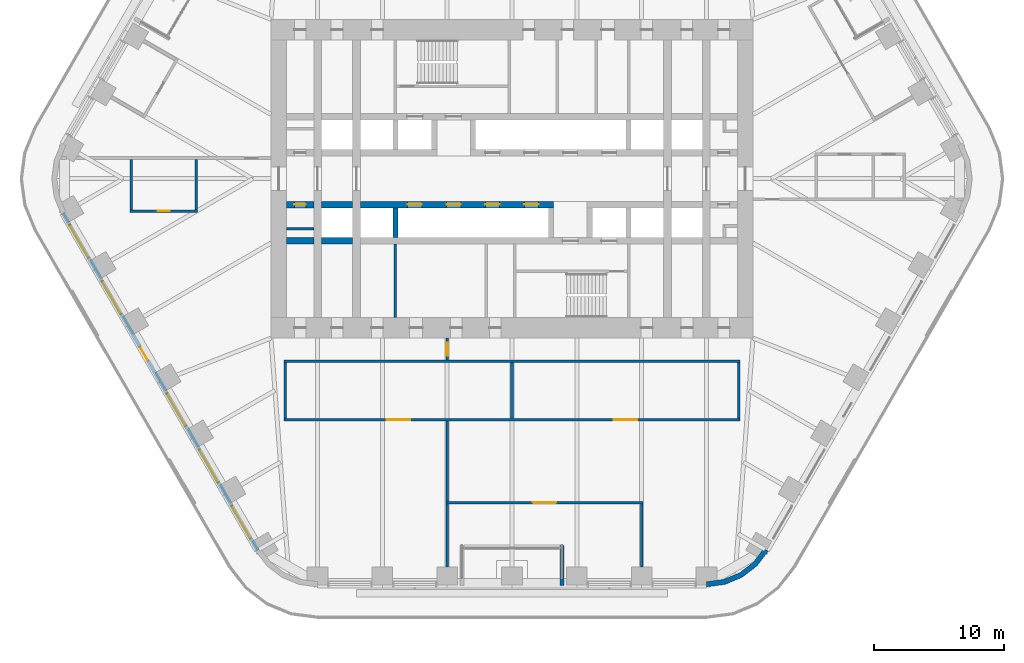
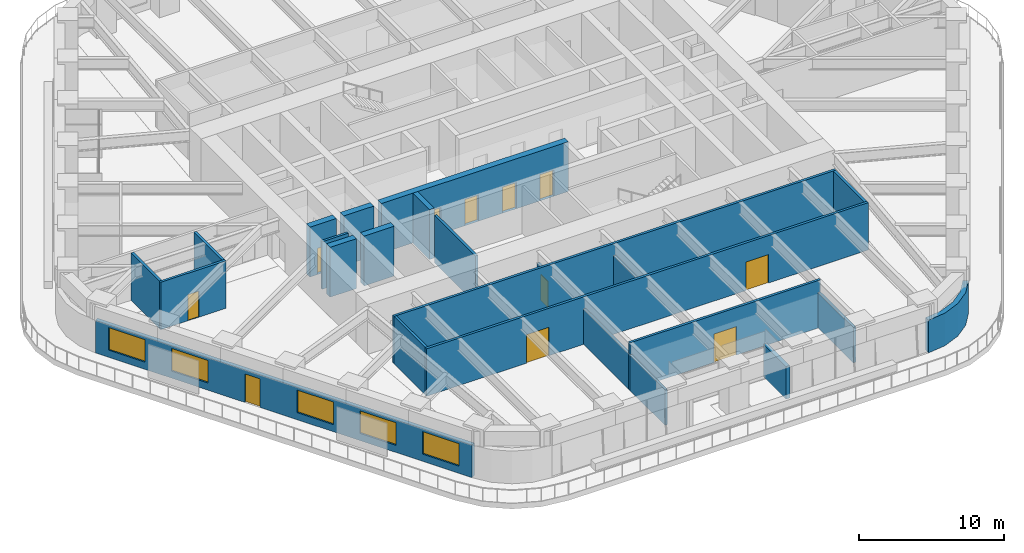
# One storey, part 17 of 24: 24 walls, 11 doors, 5 windows, 16 openings.
"""IFC4 building model written with IfcOpenShell, lengths in metres."""

from ifc_helpers import new_model, si_unit, direction, frame, frame_2d, origin, place, context, subcontext, project, spatial, polyline, rectangle, outline, extrude, material, layer, layer_set, type_object, element, fill, save


model = new_model("IFC4")

# Units and contexts
model_context = context("Model", 3, precision=1e-05, world=origin(), true_north=direction((0.0, 1.0)))
body_context = subcontext(model_context, "Body", "Model", "MODEL_VIEW")
ifc_project = project(units=[si_unit("LENGTHUNIT", "METRE"), si_unit("AREAUNIT", "SQUARE_METRE"), si_unit("VOLUMEUNIT", "CUBIC_METRE"), si_unit("PLANEANGLEUNIT", "RADIAN"), si_unit("MASSUNIT", "GRAM", prefix="KILO")], contexts=[model_context])

# Site, building, storey
site_placement = place(None, origin())
site = spatial("IfcSite", under=ifc_project, at=site_placement, CompositionType="ELEMENT")
building_placement = place(site_placement, origin())
building = spatial("IfcBuilding", under=site, at=building_placement, Name="Tarfa Lantern Tower", CompositionType="ELEMENT")
storey_placement = place(building_placement, frame((0.0, 0.0, 174.10009765625)))
storey = spatial("IfcBuildingStorey", under=building, at=storey_placement, Name="L39", CompositionType="ELEMENT", Elevation=174.10009765625)

# Wall, openings, door, windows
ifc_material_1 = material(Name="Limestone cladding on blockwork", Category="masonry")
ifc_layer_1 = layer(ifc_material_1, 0.300048828125)
ifc_layer_set_1 = layer_set([ifc_layer_1], Name="EW1 STONE-CLAD WALL 300")
wall_type_1 = type_object("IfcWallType", Name="EW1 STONE-CLAD WALL 300", PredefinedType="SOLIDWALL", material=ifc_layer_set_1)
wall_1_placement = place(storey_placement, frame((-34.655517578125, -2.675048828125, 0.0), z_axis=(0.0, 0.0, 1.0), x_axis=(0.500003084452, -0.866023622968, 0.0)))
wall_1 = element("IfcWall", 1, at=wall_1_placement, inside=storey, type_object=wall_type_1, Name="Stone wall SW", PredefinedType="SOLIDWALL", context=body_context, shape_type="SweptSolid", body=[
    extrude(rectangle(XDim=30.022216796875, YDim=0.300048828125, at=frame_2d((15.01123046875, 0.0))), origin(), (0.0, 0.0, 1.0), 2.75),
])
opening_1_placement = place(wall_1_placement, frame((1.0517578125, 0.0, 0.60009765625)))
opening_1 = element("IfcOpeningElement", 2, at=opening_1_placement, cuts=wall_1, Name="Opening W9", PredefinedType="OPENING", context=body_context, shape_type="SweptSolid", body=[
    extrude(rectangle(XDim=2.89990234375, YDim=1.89990234375, at=frame_2d((1.449951171875, 0.949951171875))), frame((0.0, 0.159912109375, 0.0), z_axis=(0.0, -1.0, 0.0), x_axis=(1.0, 0.0, 0.0)), (0.0, 0.0, 1.0), 0.320068359375),
])
opening_2_placement = place(wall_1_placement, frame((6.0556640625, 0.0, 0.60009765625)))
opening_2 = element("IfcOpeningElement", 3, at=opening_2_placement, cuts=wall_1, Name="Opening W9", PredefinedType="OPENING", context=body_context, shape_type="SweptSolid", body=[
    extrude(rectangle(XDim=2.89990234375, YDim=1.89990234375, at=frame_2d((1.449951171875, 0.949951171875))), frame((0.0, 0.159912109375, 0.0), z_axis=(0.0, -1.0, 0.0), x_axis=(1.0, 0.0, 0.0)), (0.0, 0.0, 1.0), 0.320068359375),
])
opening_3_placement = place(wall_1_placement, frame((11.9091796875, 0.0, 0.0)))
opening_3 = element("IfcOpeningElement", 4, at=opening_3_placement, cuts=wall_1, Name="Opening D47", PredefinedType="OPENING", context=body_context, shape_type="SweptSolid", body=[
    extrude(rectangle(XDim=1.199951171875, YDim=2.39990234375, at=frame_2d((0.60009765625, 1.199951171875))), frame((0.0, 0.159912109375, 0.0), z_axis=(0.0, -1.0, 0.0), x_axis=(1.0, 0.0, 0.0)), (0.0, 0.0, 1.0), 0.320068359375),
])
opening_4_placement = place(wall_1_placement, frame((16.06298828125, 0.0, 0.60009765625)))
opening_4 = element("IfcOpeningElement", 5, at=opening_4_placement, cuts=wall_1, Name="Opening W9", PredefinedType="OPENING", context=body_context, shape_type="SweptSolid", body=[
    extrude(rectangle(XDim=2.89990234375, YDim=1.89990234375, at=frame_2d((1.449951171875, 0.949951171875))), frame((0.0, 0.159912109375, 0.0), z_axis=(0.0, -1.0, 0.0), x_axis=(1.0, 0.0, 0.0)), (0.0, 0.0, 1.0), 0.320068359375),
])
opening_5_placement = place(wall_1_placement, frame((21.066650390625, 0.0, 0.60009765625)))
opening_5 = element("IfcOpeningElement", 6, at=opening_5_placement, cuts=wall_1, Name="Opening W9", PredefinedType="OPENING", context=body_context, shape_type="SweptSolid", body=[
    extrude(rectangle(XDim=2.89990234375, YDim=1.89990234375, at=frame_2d((1.449951171875, 0.949951171875))), frame((0.0, 0.159912109375, 0.0), z_axis=(0.0, -1.0, 0.0), x_axis=(1.0, 0.0, 0.0)), (0.0, 0.0, 1.0), 0.320068359375),
])
opening_6_placement = place(wall_1_placement, frame((26.0703125, 0.0, 0.60009765625)))
opening_6 = element("IfcOpeningElement", 7, at=opening_6_placement, cuts=wall_1, Name="Opening W9", PredefinedType="OPENING", context=body_context, shape_type="SweptSolid", body=[
    extrude(rectangle(XDim=2.89990234375, YDim=1.89990234375, at=frame_2d((1.449951171875, 0.949951171875))), frame((0.0, 0.159912109375, 0.0), z_axis=(0.0, -1.0, 0.0), x_axis=(1.0, 0.0, 0.0)), (0.0, 0.0, 1.0), 0.320068359375),
])
ifc_material_2 = material(Name="Aluminium framed glazed door", Category="aluminium")
door_type_1 = type_object("IfcDoorType", Name="BE3 BALCONY DOOR 1200x2400", OperationType="SINGLE_SWING_RIGHT", PredefinedType="DOOR", material=ifc_material_2)
door_1_placement = place(opening_3_placement, origin())
door_1 = element("IfcDoor", 8, at=door_1_placement, inside=storey, type_object=door_type_1, Name="Balcony door SW", OperationType="SINGLE_SWING_RIGHT", OverallHeight=2.39990234375, OverallWidth=1.199951171875, PredefinedType="DOOR", context=body_context, shape_type="SweptSolid", body=[
    extrude(rectangle(XDim=1.199951171875, YDim=2.39990234375, at=frame_2d((0.60009765625, 1.199951171875))), frame((0.0, 0.02490234375, 0.0), z_axis=(0.0, -1.0, 0.0), x_axis=(1.0, 0.0, 0.0)), (0.0, 0.0, 1.0), 0.050048828125),
])
fill(opening_3, door_1)
ifc_material_3 = material(Name="Aluminium frame, double glazed", Category="aluminium")
window_type = type_object("IfcWindowType", Name="W9 FULL-HEIGHT GLAZING 2900x1900", PartitioningType="SINGLE_PANEL", PredefinedType="WINDOW", material=ifc_material_3)
window_1_placement = place(opening_1_placement, origin())
window_1 = element("IfcWindow", 9, at=window_1_placement, inside=storey, type_object=window_type, Name="Window SW 1", OverallHeight=1.89990234375, OverallWidth=2.89990234375, PartitioningType="SINGLE_PANEL", PredefinedType="WINDOW", context=body_context, shape_type="SweptSolid", body=[
    extrude(rectangle(XDim=2.89990234375, YDim=1.89990234375, at=frame_2d((1.449951171875, 0.949951171875))), frame((0.0, 0.030029296875, 0.0), z_axis=(0.0, -1.0, 0.0), x_axis=(1.0, 0.0, 0.0)), (0.0, 0.0, 1.0), 0.06005859375),
])
fill(opening_1, window_1)
window_2_placement = place(opening_2_placement, origin())
window_2 = element("IfcWindow", 10, at=window_2_placement, inside=storey, type_object=window_type, Name="Window SW 2", OverallHeight=1.89990234375, OverallWidth=2.89990234375, PartitioningType="SINGLE_PANEL", PredefinedType="WINDOW", context=body_context, shape_type="SweptSolid", body=[
    extrude(rectangle(XDim=2.89990234375, YDim=1.89990234375, at=frame_2d((1.449951171875, 0.949951171875))), frame((0.0, 0.030029296875, 0.0), z_axis=(0.0, -1.0, 0.0), x_axis=(1.0, 0.0, 0.0)), (0.0, 0.0, 1.0), 0.06005859375),
])
fill(opening_2, window_2)
window_3_placement = place(opening_4_placement, origin())
window_3 = element("IfcWindow", 11, at=window_3_placement, inside=storey, type_object=window_type, Name="Window SW 4", OverallHeight=1.89990234375, OverallWidth=2.89990234375, PartitioningType="SINGLE_PANEL", PredefinedType="WINDOW", context=body_context, shape_type="SweptSolid", body=[
    extrude(rectangle(XDim=2.89990234375, YDim=1.89990234375, at=frame_2d((1.449951171875, 0.949951171875))), frame((0.0, 0.030029296875, 0.0), z_axis=(0.0, -1.0, 0.0), x_axis=(1.0, 0.0, 0.0)), (0.0, 0.0, 1.0), 0.06005859375),
])
fill(opening_4, window_3)
window_4_placement = place(opening_5_placement, origin())
window_4 = element("IfcWindow", 12, at=window_4_placement, inside=storey, type_object=window_type, Name="Window SW 5", OverallHeight=1.89990234375, OverallWidth=2.89990234375, PartitioningType="SINGLE_PANEL", PredefinedType="WINDOW", context=body_context, shape_type="SweptSolid", body=[
    extrude(rectangle(XDim=2.89990234375, YDim=1.89990234375, at=frame_2d((1.449951171875, 0.949951171875))), frame((0.0, 0.030029296875, 0.0), z_axis=(0.0, -1.0, 0.0), x_axis=(1.0, 0.0, 0.0)), (0.0, 0.0, 1.0), 0.06005859375),
])
fill(opening_5, window_4)
window_5_placement = place(opening_6_placement, origin())
window_5 = element("IfcWindow", 13, at=window_5_placement, inside=storey, type_object=window_type, Name="Window SW 6", OverallHeight=1.89990234375, OverallWidth=2.89990234375, PartitioningType="SINGLE_PANEL", PredefinedType="WINDOW", context=body_context, shape_type="SweptSolid", body=[
    extrude(rectangle(XDim=2.89990234375, YDim=1.89990234375, at=frame_2d((1.449951171875, 0.949951171875))), frame((0.0, 0.030029296875, 0.0), z_axis=(0.0, -1.0, 0.0), x_axis=(1.0, 0.0, 0.0)), (0.0, 0.0, 1.0), 0.06005859375),
])
fill(opening_6, window_5)

# Walls
wall_2_placement = place(storey_placement, frame((3.853759765625, -31.39990234375, 0.0), z_axis=(0.0, 0.0, 1.0), x_axis=(0.0, 1.0, 0.0)))
element("IfcWall", 14, at=wall_2_placement, inside=storey, type_object=wall_type_1, Name="Loggia return S 2", PredefinedType="SOLIDWALL", context=body_context, shape_type="SweptSolid", body=[
    extrude(rectangle(XDim=3.099853515625, YDim=0.300048828125, at=frame_2d((1.5498046875, 0.0))), origin(), (0.0, 0.0, 1.0), 2.75),
])
ifc_layer_2 = layer(ifc_material_1, 0.39990234375)
ifc_layer_set_2 = layer_set([ifc_layer_2], Name="EW2 CURVED STONE CORNER 400")
wall_type_2 = type_object("IfcWallType", Name="EW2 CURVED STONE CORNER 400", PredefinedType="SOLIDWALL", material=ifc_layer_set_2)
wall_3_placement = place(storey_placement, origin())
element("IfcWall", 15, at=wall_3_placement, inside=storey, type_object=wall_type_2, Name="Stone corner S-SE", PredefinedType="SOLIDWALL", context=body_context, shape_type="SweptSolid", body=[
    extrude(outline(polyline([(15.010986328125, -31.5), (16.4345703125, -31.3125), (17.760986328125, -30.76318359375), (18.900146484375, -29.88916015625), (19.774169921875, -28.75), (19.427734375, -28.550048828125), (18.617431640625, -29.606201171875), (17.56103515625, -30.416748046875), (16.3310546875, -30.92626953125), (15.010986328125, -31.10009765625), (15.010986328125, -31.5)])), origin(), (0.0, 0.0, 1.0), 2.75),
])
ifc_material_4 = material(Name="Concrete blockwork", Category="masonry")
ifc_layer_3 = layer(ifc_material_4, 0.199951171875)
ifc_layer_set_3 = layer_set([ifc_layer_3], Name="IW1 BLOCKWORK PARTITION 200 EI 120")
wall_type_3 = type_object("IfcWallType", Name="IW1 BLOCKWORK PARTITION 200 EI 120", PredefinedType="PARTITIONING", material=ifc_layer_set_3)
wall_4_placement = place(storey_placement, frame((-9.0, -5.050048828125, 0.0), z_axis=(0.0, 0.0, 1.0), x_axis=(0.0, -1.0, 0.0)))
element("IfcWall", 16, at=wall_4_placement, inside=storey, type_object=wall_type_3, Name="Core partition", PredefinedType="PARTITIONING", context=body_context, shape_type="SweptSolid", body=[
    extrude(rectangle(XDim=5.64990234375, YDim=0.199951171875, at=frame_2d((2.824951171875, 0.0))), origin(), (0.0, 0.0, 1.0), 4.0),
])
wall_5_placement = place(storey_placement, frame((-15.300048828125, -3.85009765625, 0.0), z_axis=(0.0, 0.0, 1.0), x_axis=(-1.0, 0.0, 0.0)))
element("IfcWall", 17, at=wall_5_placement, inside=storey, type_object=wall_type_3, Name="Core partition", PredefinedType="PARTITIONING", context=body_context, shape_type="SweptSolid", body=[
    extrude(rectangle(XDim=2.099853515625, YDim=0.199951171875, at=frame_2d((1.0498046875, 0.0))), origin(), (0.0, 0.0, 1.0), 4.0),
])
ifc_material_5 = material(Name="Gypsum board on steel studs", Category="steel")
ifc_layer_4 = layer(ifc_material_5, 0.2099609375)
ifc_layer_set_4 = layer_set([ifc_layer_4], Name="IW2 ACOUSTIC PARTITION 200")
wall_type_4 = type_object("IfcWallType", Name="IW2 ACOUSTIC PARTITION 200", PredefinedType="PARTITIONING", material=ifc_layer_set_4)
wall_6_placement = place(storey_placement, frame((17.60009765625, -14.10009765625, 0.0), z_axis=(0.0, 0.0, 1.0), x_axis=(-1.0, 0.0, 0.0)))
element("IfcWall", 18, at=wall_6_placement, inside=storey, type_object=wall_type_4, Name="Partition", PredefinedType="PARTITIONING", context=body_context, shape_type="SweptSolid", body=[
    extrude(rectangle(XDim=35.2001953125, YDim=0.199951171875, at=frame_2d((17.60009765625, 0.0))), origin(), (0.0, 0.0, 1.0), 4.0),
])

# Wall, openings, doors
wall_7_placement = place(storey_placement, frame((17.60009765625, -18.60009765625, 0.0), z_axis=(0.0, 0.0, 1.0), x_axis=(-1.0, 0.0, 0.0)))
wall_7 = element("IfcWall", 19, at=wall_7_placement, inside=storey, type_object=wall_type_4, Name="Partition", PredefinedType="PARTITIONING", context=body_context, shape_type="SweptSolid", body=[
    extrude(rectangle(XDim=35.2001953125, YDim=0.199951171875, at=frame_2d((17.60009765625, 0.0))), origin(), (0.0, 0.0, 1.0), 4.0),
])
opening_7_placement = place(wall_7_placement, frame((7.949951171875, 0.0, 0.0)))
opening_7 = element("IfcOpeningElement", 20, at=opening_7_placement, cuts=wall_7, Name="Opening D37", PredefinedType="OPENING", context=body_context, shape_type="SweptSolid", body=[
    extrude(rectangle(XDim=1.800048828125, YDim=2.39990234375, at=frame_2d((0.89990234375, 1.199951171875))), frame((0.0, 0.10986328125, 0.0), z_axis=(0.0, -1.0, 0.0), x_axis=(1.0, 0.0, 0.0)), (0.0, 0.0, 1.0), 0.219970703125),
])
opening_8_placement = place(wall_7_placement, frame((25.449951171875, 0.0, 0.0)))
opening_8 = element("IfcOpeningElement", 21, at=opening_8_placement, cuts=wall_7, Name="Opening D38", PredefinedType="OPENING", context=body_context, shape_type="SweptSolid", body=[
    extrude(rectangle(XDim=1.800048828125, YDim=2.39990234375, at=frame_2d((0.89990234375, 1.199951171875))), frame((0.0, 0.10986328125, 0.0), z_axis=(0.0, -1.0, 0.0), x_axis=(1.0, 0.0, 0.0)), (0.0, 0.0, 1.0), 0.219970703125),
])
ifc_material_6 = material(Name="Timber door", Category="wood")
door_type_2 = type_object("IfcDoorType", Name="DR2 ROOM DOOR 1800x2400", OperationType="DOUBLE_DOOR_SINGLE_SWING", PredefinedType="DOOR", material=ifc_material_6)
door_2_placement = place(opening_7_placement, frame((1.800048828125, 0.0, 0.0), z_axis=(0.0, 0.0, 1.0), x_axis=(-1.0, 0.0, 0.0)))
door_2 = element("IfcDoor", 22, at=door_2_placement, inside=storey, type_object=door_type_2, Name="Pantry door", OperationType="DOUBLE_DOOR_SINGLE_SWING", OverallHeight=2.39990234375, OverallWidth=1.800048828125, PredefinedType="DOOR", context=body_context, shape_type="SweptSolid", body=[
    extrude(rectangle(XDim=1.800048828125, YDim=2.39990234375, at=frame_2d((0.89990234375, 1.199951171875))), frame((0.0, 0.02490234375, 0.0), z_axis=(0.0, -1.0, 0.0), x_axis=(1.0, 0.0, 0.0)), (0.0, 0.0, 1.0), 0.050048828125),
])
fill(opening_7, door_2)
door_3_placement = place(opening_8_placement, frame((1.800048828125, 0.0, 0.0), z_axis=(0.0, 0.0, 1.0), x_axis=(-1.0, 0.0, 0.0)))
door_3 = element("IfcDoor", 23, at=door_3_placement, inside=storey, type_object=door_type_2, Name="Store door", OperationType="DOUBLE_DOOR_SINGLE_SWING", OverallHeight=2.39990234375, OverallWidth=1.800048828125, PredefinedType="DOOR", context=body_context, shape_type="SweptSolid", body=[
    extrude(rectangle(XDim=1.800048828125, YDim=2.39990234375, at=frame_2d((0.89990234375, 1.199951171875))), frame((0.0, 0.02490234375, 0.0), z_axis=(0.0, -1.0, 0.0), x_axis=(1.0, 0.0, 0.0)), (0.0, 0.0, 1.0), 0.050048828125),
])
fill(opening_8, door_3)

# Walls
wall_8_placement = place(storey_placement, frame((17.5, -14.199951171875, 0.0), z_axis=(0.0, 0.0, 1.0), x_axis=(0.0, -1.0, 0.0)))
element("IfcWall", 24, at=wall_8_placement, inside=storey, type_object=wall_type_4, Name="Partition", PredefinedType="PARTITIONING", context=body_context, shape_type="SweptSolid", body=[
    extrude(rectangle(XDim=4.300048828125, YDim=0.199951171875, at=frame_2d((2.14990234375, 0.0))), origin(), (0.0, 0.0, 1.0), 4.0),
])
wall_9_placement = place(storey_placement, frame((0.0, -14.199951171875, 0.0), z_axis=(0.0, 0.0, 1.0), x_axis=(0.0, -1.0, 0.0)))
element("IfcWall", 25, at=wall_9_placement, inside=storey, type_object=wall_type_4, Name="Partition", PredefinedType="PARTITIONING", context=body_context, shape_type="SweptSolid", body=[
    extrude(rectangle(XDim=4.300048828125, YDim=0.199951171875, at=frame_2d((2.14990234375, 0.0))), origin(), (0.0, 0.0, 1.0), 2.99169921875),
])
wall_10_placement = place(storey_placement, frame((-17.5, -14.199951171875, 0.0), z_axis=(0.0, 0.0, 1.0), x_axis=(0.0, -1.0, 0.0)))
element("IfcWall", 26, at=wall_10_placement, inside=storey, type_object=wall_type_4, Name="Partition", PredefinedType="PARTITIONING", context=body_context, shape_type="SweptSolid", body=[
    extrude(rectangle(XDim=4.300048828125, YDim=0.199951171875, at=frame_2d((2.14990234375, 0.0))), origin(), (0.0, 0.0, 1.0), 4.0),
])

# Wall, opening, door
wall_11_placement = place(storey_placement, frame((-5.103759765625, -25.0, 0.0), z_axis=(0.0, 0.0, 1.0), x_axis=(1.0, 0.0, 0.0)))
wall_11 = element("IfcWall", 27, at=wall_11_placement, inside=storey, type_object=wall_type_4, Name="Partition", PredefinedType="PARTITIONING", context=body_context, shape_type="SweptSolid", body=[
    extrude(rectangle(XDim=15.211181640625, YDim=0.199951171875, at=frame_2d((7.60546875, 0.0))), origin(), (0.0, 0.0, 1.0), 4.0),
])
opening_9_placement = place(wall_11_placement, frame((6.70556640625, 0.0, 0.0)))
opening_9 = element("IfcOpeningElement", 28, at=opening_9_placement, cuts=wall_11, Name="Opening D35", PredefinedType="OPENING", context=body_context, shape_type="SweptSolid", body=[
    extrude(rectangle(XDim=1.800048828125, YDim=2.39990234375, at=frame_2d((0.89990234375, 1.199951171875))), frame((0.0, 0.10986328125, 0.0), z_axis=(0.0, -1.0, 0.0), x_axis=(1.0, 0.0, 0.0)), (0.0, 0.0, 1.0), 0.219970703125),
])
door_4_placement = place(opening_9_placement, frame((1.800048828125, 0.0, 0.0), z_axis=(0.0, 0.0, 1.0), x_axis=(-1.0, 0.0, 0.0)))
door_4 = element("IfcDoor", 29, at=door_4_placement, inside=storey, type_object=door_type_2, Name="Showroom door", OperationType="DOUBLE_DOOR_SINGLE_SWING", OverallHeight=2.39990234375, OverallWidth=1.800048828125, PredefinedType="DOOR", context=body_context, shape_type="SweptSolid", body=[
    extrude(rectangle(XDim=1.800048828125, YDim=2.39990234375, at=frame_2d((0.89990234375, 1.199951171875))), frame((0.0, 0.02490234375, 0.0), z_axis=(0.0, -1.0, 0.0), x_axis=(1.0, 0.0, 0.0)), (0.0, 0.0, 1.0), 0.050048828125),
])
fill(opening_9, door_4)

# Walls
for number, where, z_axis, x_axis, name in (
    (30, (-5.003662109375, -25.10009765625, 0.0), (0.0, 0.0, 1.0), (0.0, -1.0, 0.0), "Partition"),
    (31, (10.00732421875, -25.10009765625, 0.0), (0.0, 0.0, 1.0), (0.0, -1.0, 0.0), "Partition"),
):
    element("IfcWall", number, at=place(storey_placement, frame(where, z_axis=z_axis, x_axis=x_axis)), inside=storey, type_object=wall_type_4, Name=name, PredefinedType="PARTITIONING", context=body_context, shape_type="SweptSolid", body=[
        extrude(rectangle(XDim=4.849853515625, YDim=0.199951171875, at=frame_2d((2.4248046875, 0.0))), origin(), (0.0, 0.0, 1.0), 2.99169921875),
    ])

# Wall, opening, door
wall_12_placement = place(storey_placement, frame((-5.0, -12.300048828125, 0.0), z_axis=(0.0, 0.0, 1.0), x_axis=(0.0, -1.0, 0.0)))
wall_12 = element("IfcWall", 32, at=wall_12_placement, inside=storey, type_object=wall_type_4, Name="Partition", PredefinedType="PARTITIONING", context=body_context, shape_type="SweptSolid", body=[
    extrude(rectangle(XDim=1.699951171875, YDim=0.199951171875, at=frame_2d((0.85009765625, 0.0))), origin(), (0.0, 0.0, 1.0), 2.99169921875),
])
opening_10_placement = place(wall_12_placement, frame((0.35009765625, 0.0, 0.0)))
opening_10 = element("IfcOpeningElement", 33, at=opening_10_placement, cuts=wall_12, Name="Opening D43", PredefinedType="OPENING", context=body_context, shape_type="SweptSolid", body=[
    extrude(rectangle(XDim=1.0, YDim=2.199951171875, at=frame_2d((0.5, 1.10009765625))), frame((0.0, 0.10986328125, 0.0), z_axis=(0.0, -1.0, 0.0), x_axis=(1.0, 0.0, 0.0)), (0.0, 0.0, 1.0), 0.219970703125),
])
door_type_3 = type_object("IfcDoorType", Name="DR1 ROOM DOOR 1000x2200", OperationType="SINGLE_SWING_LEFT", PredefinedType="DOOR", material=ifc_material_6)
door_5_placement = place(opening_10_placement, frame((1.0, 0.0, 0.0), z_axis=(0.0, 0.0, 1.0), x_axis=(-1.0, 0.0, 0.0)))
door_5 = element("IfcDoor", 34, at=door_5_placement, inside=storey, type_object=door_type_3, Name="Zone door", OperationType="SINGLE_SWING_RIGHT", OverallHeight=2.199951171875, OverallWidth=1.0, PredefinedType="DOOR", context=body_context, shape_type="SweptSolid", body=[
    extrude(rectangle(XDim=1.0, YDim=2.199951171875, at=frame_2d((0.5, 1.10009765625))), frame((0.0, 0.02490234375, 0.0), z_axis=(0.0, -1.0, 0.0), x_axis=(1.0, 0.0, 0.0)), (0.0, 0.0, 1.0), 0.050048828125),
])
fill(opening_10, door_5)

# Wall
wall_13_placement = place(storey_placement, frame((-5.0, -18.699951171875, 0.0), z_axis=(0.0, 0.0, 1.0), x_axis=(0.0, -1.0, 0.0)))
element("IfcWall", 35, at=wall_13_placement, inside=storey, type_object=wall_type_4, Name="Partition", PredefinedType="PARTITIONING", context=body_context, shape_type="SweptSolid", body=[
    extrude(rectangle(XDim=6.199951171875, YDim=0.199951171875, at=frame_2d((3.10009765625, 0.0))), origin(), (0.0, 0.0, 1.0), 2.99169921875),
])

# Wall, opening, door
wall_14_placement = place(storey_placement, frame((-24.28271484375, -2.5, 0.0), z_axis=(0.0, 0.0, 1.0), x_axis=(-1.0, 0.0, 0.0)))
wall_14 = element("IfcWall", 36, at=wall_14_placement, inside=storey, type_object=wall_type_4, Name="Partition", PredefinedType="PARTITIONING", context=body_context, shape_type="SweptSolid", body=[
    extrude(rectangle(XDim=5.199951171875, YDim=0.199951171875, at=frame_2d((2.60009765625, 0.0))), origin(), (0.0, 0.0, 1.0), 4.0),
])
opening_11_placement = place(wall_14_placement, frame((2.14990234375, 0.0, 0.0)))
opening_11 = element("IfcOpeningElement", 37, at=opening_11_placement, cuts=wall_14, Name="Opening D41", PredefinedType="OPENING", context=body_context, shape_type="SweptSolid", body=[
    extrude(rectangle(XDim=0.89990234375, YDim=2.199951171875, at=frame_2d((0.449951171875, 1.10009765625))), frame((0.0, 0.10986328125, 0.0), z_axis=(0.0, -1.0, 0.0), x_axis=(1.0, 0.0, 0.0)), (0.0, 0.0, 1.0), 0.219970703125),
])
door_type_4 = type_object("IfcDoorType", Name="DR3 ROOM DOOR 900x2200", OperationType="SINGLE_SWING_LEFT", PredefinedType="DOOR", material=ifc_material_6)
door_6_placement = place(opening_11_placement, frame((0.89990234375, 0.0, 0.0), z_axis=(0.0, 0.0, 1.0), x_axis=(-1.0, 0.0, 0.0)))
door_6 = element("IfcDoor", 38, at=door_6_placement, inside=storey, type_object=door_type_4, Name="Team room door", OperationType="SINGLE_SWING_RIGHT", OverallHeight=2.199951171875, OverallWidth=0.89990234375, PredefinedType="DOOR", context=body_context, shape_type="SweptSolid", body=[
    extrude(rectangle(XDim=0.89990234375, YDim=2.199951171875, at=frame_2d((0.449951171875, 1.10009765625))), frame((0.0, 0.02490234375, 0.0), z_axis=(0.0, -1.0, 0.0), x_axis=(1.0, 0.0, 0.0)), (0.0, 0.0, 1.0), 0.050048828125),
])
fill(opening_11, door_6)

# Walls
for number, where, z_axis, x_axis, name in (
    (39, (-24.3828125, 1.5, 0.0), (0.0, 0.0, 1.0), (0.0, -1.0, 0.0), "Partition"),
    (40, (-29.3828125, 1.5, 0.0), (0.0, 0.0, 1.0), (0.0, -1.0, 0.0), "Partition"),
):
    element("IfcWall", number, at=place(storey_placement, frame(where, z_axis=z_axis, x_axis=x_axis)), inside=storey, type_object=wall_type_4, Name=name, PredefinedType="PARTITIONING", context=body_context, shape_type="SweptSolid", body=[
        extrude(rectangle(XDim=3.89990234375, YDim=0.199951171875, at=frame_2d((1.949951171875, 0.0))), origin(), (0.0, 0.0, 1.0), 4.0),
    ])

# Wall, openings, doors
ifc_material_7 = material(Name="Concrete C80/95", Category="concrete")
ifc_layer_5 = layer(ifc_material_7, 0.5)
ifc_layer_set_5 = layer_set([ifc_layer_5], Name="SW5 CORE WALL 500")
wall_type_5 = type_object("IfcWallType", Name="SW5 CORE WALL 500", PredefinedType="SHEAR", material=ifc_layer_set_5)
wall_15_placement = place(storey_placement, frame((3.199951171875, -2.0, 0.0), z_axis=(0.0, 0.0, 1.0), x_axis=(-1.0, 0.0, 0.0)))
wall_15 = element("IfcWall", 41, at=wall_15_placement, inside=storey, type_object=wall_type_5, Name="Core wall lobby east S", PredefinedType="SHEAR", context=body_context, shape_type="SweptSolid", body=[
    extrude(rectangle(XDim=14.89990234375, YDim=0.5, at=frame_2d((7.449951171875, 0.0))), origin(), (0.0, 0.0, 1.0), 4.199951171875),
])
opening_12_placement = place(wall_15_placement, frame((1.14990234375, 0.0, 0.0)))
opening_12 = element("IfcOpeningElement", 42, at=opening_12_placement, cuts=wall_15, Name="Opening LD07", PredefinedType="OPENING", context=body_context, shape_type="SweptSolid", body=[
    extrude(rectangle(XDim=1.10009765625, YDim=2.199951171875, at=frame_2d((0.550048828125, 1.10009765625))), frame((0.0, 0.260009765625, 0.0), z_axis=(0.0, -1.0, 0.0), x_axis=(1.0, 0.0, 0.0)), (0.0, 0.0, 1.0), 0.52001953125),
])
opening_13_placement = place(wall_15_placement, frame((4.14990234375, 0.0, 0.0)))
opening_13 = element("IfcOpeningElement", 43, at=opening_13_placement, cuts=wall_15, Name="Opening LD08", PredefinedType="OPENING", context=body_context, shape_type="SweptSolid", body=[
    extrude(rectangle(XDim=1.10009765625, YDim=2.199951171875, at=frame_2d((0.550048828125, 1.10009765625))), frame((0.0, 0.260009765625, 0.0), z_axis=(0.0, -1.0, 0.0), x_axis=(1.0, 0.0, 0.0)), (0.0, 0.0, 1.0), 0.52001953125),
])
opening_14_placement = place(wall_15_placement, frame((7.14990234375, 0.0, 0.0)))
opening_14 = element("IfcOpeningElement", 44, at=opening_14_placement, cuts=wall_15, Name="Opening LD09", PredefinedType="OPENING", context=body_context, shape_type="SweptSolid", body=[
    extrude(rectangle(XDim=1.10009765625, YDim=2.199951171875, at=frame_2d((0.550048828125, 1.10009765625))), frame((0.0, 0.260009765625, 0.0), z_axis=(0.0, -1.0, 0.0), x_axis=(1.0, 0.0, 0.0)), (0.0, 0.0, 1.0), 0.52001953125),
])
opening_15_placement = place(wall_15_placement, frame((10.14990234375, 0.0, 0.0)))
opening_15 = element("IfcOpeningElement", 45, at=opening_15_placement, cuts=wall_15, Name="Opening LD10", PredefinedType="OPENING", context=body_context, shape_type="SweptSolid", body=[
    extrude(rectangle(XDim=1.10009765625, YDim=2.199951171875, at=frame_2d((0.550048828125, 1.10009765625))), frame((0.0, 0.260009765625, 0.0), z_axis=(0.0, -1.0, 0.0), x_axis=(1.0, 0.0, 0.0)), (0.0, 0.0, 1.0), 0.52001953125),
])
ifc_material_8 = material(Name="Stainless steel lift door", Category="steel")
door_type_5 = type_object("IfcDoorType", Name="LD2 LIFT LANDING DOOR 1100x2200", OperationType="SLIDING_TO_LEFT", PredefinedType="DOOR", material=ifc_material_8)
door_7_placement = place(opening_12_placement, frame((1.10009765625, 0.0, 0.0), z_axis=(0.0, 0.0, 1.0), x_axis=(-1.0, 0.0, 0.0)))
door_7 = element("IfcDoor", 46, at=door_7_placement, inside=storey, type_object=door_type_5, Name="Landing door PB5", OperationType="SLIDING_TO_LEFT", OverallHeight=2.199951171875, OverallWidth=1.10009765625, PredefinedType="DOOR", context=body_context, shape_type="SweptSolid", body=[
    extrude(rectangle(XDim=1.10009765625, YDim=2.199951171875, at=frame_2d((0.550048828125, 1.10009765625))), frame((0.0, 0.02490234375, 0.0), z_axis=(0.0, -1.0, 0.0), x_axis=(1.0, 0.0, 0.0)), (0.0, 0.0, 1.0), 0.050048828125),
])
fill(opening_12, door_7)
door_8_placement = place(opening_13_placement, frame((1.10009765625, 0.0, 0.0), z_axis=(0.0, 0.0, 1.0), x_axis=(-1.0, 0.0, 0.0)))
door_8 = element("IfcDoor", 47, at=door_8_placement, inside=storey, type_object=door_type_5, Name="Landing door PB6", OperationType="SLIDING_TO_LEFT", OverallHeight=2.199951171875, OverallWidth=1.10009765625, PredefinedType="DOOR", context=body_context, shape_type="SweptSolid", body=[
    extrude(rectangle(XDim=1.10009765625, YDim=2.199951171875, at=frame_2d((0.550048828125, 1.10009765625))), frame((0.0, 0.02490234375, 0.0), z_axis=(0.0, -1.0, 0.0), x_axis=(1.0, 0.0, 0.0)), (0.0, 0.0, 1.0), 0.050048828125),
])
fill(opening_13, door_8)
door_9_placement = place(opening_14_placement, frame((1.10009765625, 0.0, 0.0), z_axis=(0.0, 0.0, 1.0), x_axis=(-1.0, 0.0, 0.0)))
door_9 = element("IfcDoor", 48, at=door_9_placement, inside=storey, type_object=door_type_5, Name="Landing door PB7", OperationType="SLIDING_TO_LEFT", OverallHeight=2.199951171875, OverallWidth=1.10009765625, PredefinedType="DOOR", context=body_context, shape_type="SweptSolid", body=[
    extrude(rectangle(XDim=1.10009765625, YDim=2.199951171875, at=frame_2d((0.550048828125, 1.10009765625))), frame((0.0, 0.02490234375, 0.0), z_axis=(0.0, -1.0, 0.0), x_axis=(1.0, 0.0, 0.0)), (0.0, 0.0, 1.0), 0.050048828125),
])
fill(opening_14, door_9)
door_10_placement = place(opening_15_placement, frame((1.10009765625, 0.0, 0.0), z_axis=(0.0, 0.0, 1.0), x_axis=(-1.0, 0.0, 0.0)))
door_10 = element("IfcDoor", 49, at=door_10_placement, inside=storey, type_object=door_type_5, Name="Landing door PB8", OperationType="SLIDING_TO_LEFT", OverallHeight=2.199951171875, OverallWidth=1.10009765625, PredefinedType="DOOR", context=body_context, shape_type="SweptSolid", body=[
    extrude(rectangle(XDim=1.10009765625, YDim=2.199951171875, at=frame_2d((0.550048828125, 1.10009765625))), frame((0.0, 0.02490234375, 0.0), z_axis=(0.0, -1.0, 0.0), x_axis=(1.0, 0.0, 0.0)), (0.0, 0.0, 1.0), 0.050048828125),
])
fill(opening_15, door_10)

# Wall
wall_16_placement = place(storey_placement, frame((-12.300048828125, -2.0, 0.0), z_axis=(0.0, 0.0, 1.0), x_axis=(-1.0, 0.0, 0.0)))
element("IfcWall", 50, at=wall_16_placement, inside=storey, type_object=wall_type_5, Name="Core wall lobby east S", PredefinedType="SHEAR", context=body_context, shape_type="SweptSolid", body=[
    extrude(rectangle(XDim=2.39990234375, YDim=0.5, at=frame_2d((1.199951171875, 0.0))), origin(), (0.0, 0.0, 1.0), 4.199951171875),
])

# Wall, opening, door
wall_17_placement = place(storey_placement, frame((-15.300048828125, -2.0, 0.0), z_axis=(0.0, 0.0, 1.0), x_axis=(-1.0, 0.0, 0.0)))
wall_17 = element("IfcWall", 51, at=wall_17_placement, inside=storey, type_object=wall_type_5, Name="Core wall lobby east S", PredefinedType="SHEAR", context=body_context, shape_type="SweptSolid", body=[
    extrude(rectangle(XDim=2.099853515625, YDim=0.5, at=frame_2d((1.0498046875, 0.0))), origin(), (0.0, 0.0, 1.0), 4.199951171875),
])
opening_16_placement = place(wall_17_placement, frame((0.60009765625, 0.0, 0.0)))
opening_16 = element("IfcOpeningElement", 52, at=opening_16_placement, cuts=wall_17, Name="Opening D18", PredefinedType="OPENING", context=body_context, shape_type="SweptSolid", body=[
    extrude(rectangle(XDim=0.89990234375, YDim=2.199951171875, at=frame_2d((0.449951171875, 1.10009765625))), frame((0.0, 0.260009765625, 0.0), z_axis=(0.0, -1.0, 0.0), x_axis=(1.0, 0.0, 0.0)), (0.0, 0.0, 1.0), 0.52001953125),
])
ifc_material_9 = material(Name="Steel fire door", Category="steel")
door_type_6 = type_object("IfcDoorType", Name="DF6 SERVICE ROOM DOOR 900x2200", OperationType="SINGLE_SWING_LEFT", PredefinedType="DOOR", material=ifc_material_9)
door_11_placement = place(opening_16_placement, origin())
door_11 = element("IfcDoor", 53, at=door_11_placement, inside=storey, type_object=door_type_6, Name="Service room door", OperationType="SINGLE_SWING_LEFT", OverallHeight=2.199951171875, OverallWidth=0.89990234375, PredefinedType="DOOR", context=body_context, shape_type="SweptSolid", body=[
    extrude(rectangle(XDim=0.89990234375, YDim=2.199951171875, at=frame_2d((0.449951171875, 1.10009765625))), frame((0.0, 0.02490234375, 0.0), z_axis=(0.0, -1.0, 0.0), x_axis=(1.0, 0.0, 0.0)), (0.0, 0.0, 1.0), 0.050048828125),
])
fill(opening_16, door_11)

# Walls
wall_18_placement = place(storey_placement, frame((-12.300048828125, -4.800048828125, 0.0), z_axis=(0.0, 0.0, 1.0), x_axis=(-1.0, 0.0, 0.0)))
element("IfcWall", 54, at=wall_18_placement, inside=storey, type_object=wall_type_5, Name="Core wall rear S", PredefinedType="SHEAR", context=body_context, shape_type="SweptSolid", body=[
    extrude(rectangle(XDim=2.39990234375, YDim=0.5, at=frame_2d((1.199951171875, 0.0))), origin(), (0.0, 0.0, 1.0), 4.199951171875),
])
wall_19_placement = place(storey_placement, frame((-15.300048828125, -4.800048828125, 0.0), z_axis=(0.0, 0.0, 1.0), x_axis=(-1.0, 0.0, 0.0)))
element("IfcWall", 55, at=wall_19_placement, inside=storey, type_object=wall_type_5, Name="Core wall rear S", PredefinedType="SHEAR", context=body_context, shape_type="SweptSolid", body=[
    extrude(rectangle(XDim=2.099853515625, YDim=0.5, at=frame_2d((1.0498046875, 0.0))), origin(), (0.0, 0.0, 1.0), 4.199951171875),
])
ifc_layer_6 = layer(ifc_material_7, 0.39990234375)
ifc_layer_set_6 = layer_set([ifc_layer_6], Name="SW6 CORE WALL 400")
wall_type_6 = type_object("IfcWallType", Name="SW6 CORE WALL 400", PredefinedType="SHEAR", material=ifc_layer_set_6)
wall_20_placement = place(storey_placement, frame((-9.0, -2.25, 0.0), z_axis=(0.0, 0.0, 1.0), x_axis=(0.0, -1.0, 0.0)))
element("IfcWall", 56, at=wall_20_placement, inside=storey, type_object=wall_type_6, Name="Core wall divider S", PredefinedType="SHEAR", context=body_context, shape_type="SweptSolid", body=[
    extrude(rectangle(XDim=2.300048828125, YDim=0.39990234375, at=frame_2d((1.14990234375, 0.0))), origin(), (0.0, 0.0, 1.0), 4.199951171875),
])

save(model, "model.ifc")
